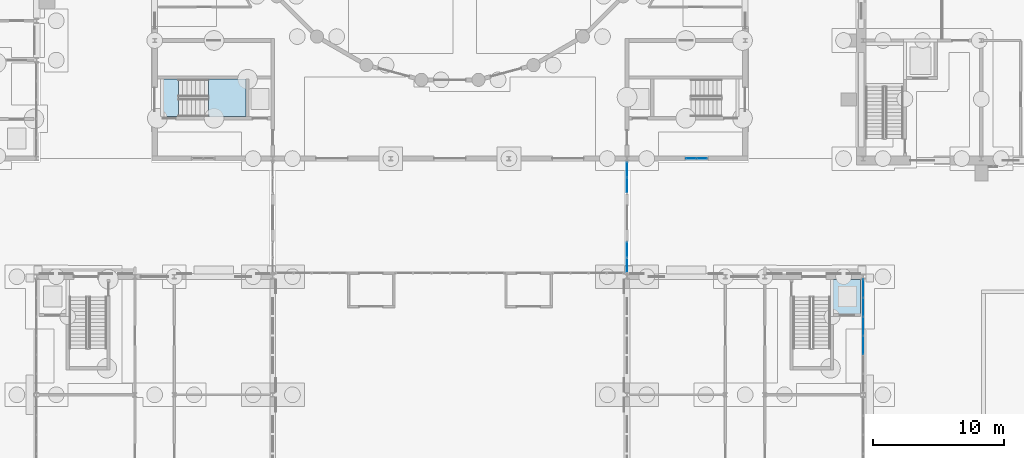
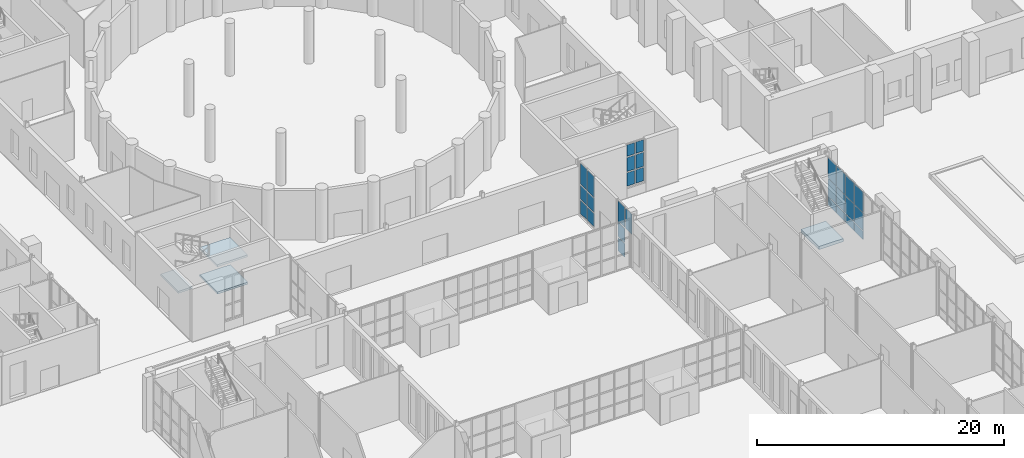
# One storey, part 79 of 168: 28 plates, 4 slabs, 5 elements without a shape of their own.
"""IFC4 building model written with IfcOpenShell, lengths in metres."""

from ifc_helpers import new_model, si_unit, direction, frame, origin, origin_2d, place, context, subcontext, project, spatial, polyline, rectangle, outline, extrude, material, layer, layer_set, type_object, element, aggregate, save


model = new_model("IFC4")

# Units and contexts
model_context = context("Model", 3, precision=1e-05, world=origin(), true_north=direction((0.0, 1.0)))
body_context = subcontext(model_context, "Body", "Model", "MODEL_VIEW")
ifc_project = project(units=[si_unit("LENGTHUNIT", "METRE"), si_unit("AREAUNIT", "SQUARE_METRE"), si_unit("VOLUMEUNIT", "CUBIC_METRE"), si_unit("PLANEANGLEUNIT", "RADIAN"), si_unit("MASSUNIT", "GRAM", prefix="KILO")], contexts=[model_context])

# Site, building, storey
site_placement = place(None, origin())
site = spatial("IfcSite", under=ifc_project, at=site_placement, CompositionType="ELEMENT")
building_placement = place(site_placement, origin())
building = spatial("IfcBuilding", under=site, at=building_placement, Name="Golden Quay Civic Hall", CompositionType="ELEMENT")
storey_placement = place(building_placement, origin())
storey = spatial("IfcBuildingStorey", under=building, at=storey_placement, Name="L00", CompositionType="ELEMENT", Elevation=0.0)

# Curtain wall, plates
ifc_material_1 = material(Name="Glass, laminated double glazed", Category="glass")
ifc_layer_1 = layer(ifc_material_1, 0.199951171875)
ifc_layer_set_1 = layer_set([ifc_layer_1], Name="Glazed core strip curtain wall")
curtain_wall_type_1 = type_object("IfcCurtainWallType", Name="Glazed core strip curtain wall", PredefinedType="NOTDEFINED", material=ifc_layer_set_1)
curtain_wall_1_placement = place(storey_placement, origin())
curtain_wall_1 = element("IfcCurtainWall", 1, at=curtain_wall_1_placement, inside=storey, type_object=curtain_wall_type_1, Name="Glazed core strip curtain wall L00 12", PredefinedType="NOTDEFINED")
ifc_material_2 = material(Name="Glass, laminated double glazed", Category="glass")
ifc_layer_2 = layer(ifc_material_2, 0.028076171875)
ifc_layer_set_2 = layer_set([ifc_layer_2], Name="Double glazed curtain wall panel 28")
plate_type_1 = type_object("IfcPlateType", Name="Double glazed curtain wall panel 28", PredefinedType="CURTAIN_PANEL", material=ifc_layer_set_2)
plate_1_placement = place(storey_placement, frame((117.0, 53.1142578125, 0.06005859375), z_axis=(0.0, 0.0, 1.0), x_axis=(0.0, -1.0, 0.0)))
plate_1 = element("IfcPlate", 2, at=plate_1_placement, type_object=plate_type_1, Name="CW2 panel 1.1", PredefinedType="CURTAIN_PANEL", context=body_context, shape_type="SweptSolid", body=[
    extrude(rectangle(XDim=1.361572265625, YDim=0.028076171875, at=origin_2d()), origin(), (0.0, 0.0, 1.0), 0.81005859375),
])
plate_2_placement = place(storey_placement, frame((117.0, 53.1142578125, 0.93017578125), z_axis=(0.0, 0.0, 1.0), x_axis=(0.0, -1.0, 0.0)))
plate_2 = element("IfcPlate", 3, at=plate_2_placement, type_object=plate_type_1, Name="CW2 panel 1.2", PredefinedType="CURTAIN_PANEL", context=body_context, shape_type="SweptSolid", body=[
    extrude(rectangle(XDim=1.361572265625, YDim=0.028076171875, at=origin_2d()), origin(), (0.0, 0.0, 1.0), 1.739990234375),
])
plate_3_placement = place(storey_placement, frame((117.0, 53.1142578125, 2.72998046875), z_axis=(0.0, 0.0, 1.0), x_axis=(0.0, -1.0, 0.0)))
plate_3 = element("IfcPlate", 4, at=plate_3_placement, type_object=plate_type_1, Name="CW2 panel 1.3", PredefinedType="CURTAIN_PANEL", context=body_context, shape_type="SweptSolid", body=[
    extrude(rectangle(XDim=1.361572265625, YDim=0.028076171875, at=origin_2d()), origin(), (0.0, 0.0, 1.0), 2.010009765625),
])
plate_4_placement = place(storey_placement, frame((117.0, 51.677490234375, 0.06005859375), z_axis=(0.0, 0.0, 1.0), x_axis=(0.0, -1.0, 0.0)))
plate_4 = element("IfcPlate", 5, at=plate_4_placement, type_object=plate_type_1, Name="CW2 panel 2.1", PredefinedType="CURTAIN_PANEL", context=body_context, shape_type="SweptSolid", body=[
    extrude(rectangle(XDim=1.3916015625, YDim=0.028076171875, at=origin_2d()), origin(), (0.0, 0.0, 1.0), 0.81005859375),
])
plate_5_placement = place(storey_placement, frame((117.0, 51.677490234375, 0.93017578125), z_axis=(0.0, 0.0, 1.0), x_axis=(0.0, -1.0, 0.0)))
plate_5 = element("IfcPlate", 6, at=plate_5_placement, type_object=plate_type_1, Name="CW2 panel 2.2", PredefinedType="CURTAIN_PANEL", context=body_context, shape_type="SweptSolid", body=[
    extrude(rectangle(XDim=1.3916015625, YDim=0.028076171875, at=origin_2d()), origin(), (0.0, 0.0, 1.0), 1.739990234375),
])
plate_6_placement = place(storey_placement, frame((117.0, 51.677490234375, 2.72998046875), z_axis=(0.0, 0.0, 1.0), x_axis=(0.0, -1.0, 0.0)))
plate_6 = element("IfcPlate", 7, at=plate_6_placement, type_object=plate_type_1, Name="CW2 panel 2.3", PredefinedType="CURTAIN_PANEL", context=body_context, shape_type="SweptSolid", body=[
    extrude(rectangle(XDim=1.3916015625, YDim=0.028076171875, at=origin_2d()), origin(), (0.0, 0.0, 1.0), 2.010009765625),
])
plate_7_placement = place(storey_placement, frame((117.0, 50.225830078125, 0.06005859375), z_axis=(0.0, 0.0, 1.0), x_axis=(0.0, -1.0, 0.0)))
plate_7 = element("IfcPlate", 8, at=plate_7_placement, type_object=plate_type_1, Name="CW2 panel 3.1", PredefinedType="CURTAIN_PANEL", context=body_context, shape_type="SweptSolid", body=[
    extrude(rectangle(XDim=1.3916015625, YDim=0.028076171875, at=origin_2d()), origin(), (0.0, 0.0, 1.0), 0.81005859375),
])
plate_8_placement = place(storey_placement, frame((117.0, 50.225830078125, 0.93017578125), z_axis=(0.0, 0.0, 1.0), x_axis=(0.0, -1.0, 0.0)))
plate_8 = element("IfcPlate", 9, at=plate_8_placement, type_object=plate_type_1, Name="CW2 panel 3.2", PredefinedType="CURTAIN_PANEL", context=body_context, shape_type="SweptSolid", body=[
    extrude(rectangle(XDim=1.3916015625, YDim=0.028076171875, at=origin_2d()), origin(), (0.0, 0.0, 1.0), 1.739990234375),
])
plate_9_placement = place(storey_placement, frame((117.0, 50.225830078125, 2.72998046875), z_axis=(0.0, 0.0, 1.0), x_axis=(0.0, -1.0, 0.0)))
plate_9 = element("IfcPlate", 10, at=plate_9_placement, type_object=plate_type_1, Name="CW2 panel 3.3", PredefinedType="CURTAIN_PANEL", context=body_context, shape_type="SweptSolid", body=[
    extrude(rectangle(XDim=1.3916015625, YDim=0.028076171875, at=origin_2d()), origin(), (0.0, 0.0, 1.0), 2.010009765625),
])
plate_10_placement = place(storey_placement, frame((117.0, 48.774169921875, 0.06005859375), z_axis=(0.0, 0.0, 1.0), x_axis=(0.0, -1.0, 0.0)))
plate_10 = element("IfcPlate", 11, at=plate_10_placement, type_object=plate_type_1, Name="CW2 panel 4.1", PredefinedType="CURTAIN_PANEL", context=body_context, shape_type="SweptSolid", body=[
    extrude(rectangle(XDim=1.3916015625, YDim=0.028076171875, at=origin_2d()), origin(), (0.0, 0.0, 1.0), 0.81005859375),
])
plate_11_placement = place(storey_placement, frame((117.0, 48.774169921875, 0.93017578125), z_axis=(0.0, 0.0, 1.0), x_axis=(0.0, -1.0, 0.0)))
plate_11 = element("IfcPlate", 12, at=plate_11_placement, type_object=plate_type_1, Name="CW2 panel 4.2", PredefinedType="CURTAIN_PANEL", context=body_context, shape_type="SweptSolid", body=[
    extrude(rectangle(XDim=1.3916015625, YDim=0.028076171875, at=origin_2d()), origin(), (0.0, 0.0, 1.0), 1.739990234375),
])
plate_12_placement = place(storey_placement, frame((117.0, 48.774169921875, 2.72998046875), z_axis=(0.0, 0.0, 1.0), x_axis=(0.0, -1.0, 0.0)))
plate_12 = element("IfcPlate", 13, at=plate_12_placement, type_object=plate_type_1, Name="CW2 panel 4.3", PredefinedType="CURTAIN_PANEL", context=body_context, shape_type="SweptSolid", body=[
    extrude(rectangle(XDim=1.3916015625, YDim=0.028076171875, at=origin_2d()), origin(), (0.0, 0.0, 1.0), 2.010009765625),
])
aggregate(curtain_wall_1, [plate_1, plate_2, plate_3, plate_4, plate_5, plate_6, plate_7, plate_8, plate_9, plate_10, plate_11, plate_12])

ifc_material_3 = material(Name="Fire-resisting glass and steel", Category="steel")
curtain_wall_type_2 = type_object("IfcCurtainWallType", Name="Fire-resisting glazed stair curtain wall EI 120", PredefinedType="NOTDEFINED", material=ifc_material_3)
curtain_wall_2_placement = place(storey_placement, origin())
curtain_wall_2 = element("IfcCurtainWall", 14, at=curtain_wall_2_placement, inside=storey, type_object=curtain_wall_type_2, Name="CW4 stair curtain wall", PredefinedType="NOTDEFINED")
ifc_material_4 = material(Name="Fire-resisting laminated glass", Category="glass")
ifc_layer_3 = layer(ifc_material_4, 0.0400390625)
ifc_layer_set_3 = layer_set([ifc_layer_3], Name="Fire-resisting glazed stair panel 40")
plate_type_2 = type_object("IfcPlateType", Name="Fire-resisting glazed stair panel 40", PredefinedType="CURTAIN_PANEL", material=ifc_layer_set_3)
plate_13_placement = place(storey_placement, frame((103.8798828125, 63.0, 1.02001953125), z_axis=(0.0, 0.0, 1.0), x_axis=(1.0, 0.0, 0.0)))
plate_13 = element("IfcPlate", 15, at=plate_13_placement, type_object=plate_type_2, Name="CW4 panel 1.1", PredefinedType="CURTAIN_PANEL", context=body_context, shape_type="SweptSolid", body=[
    extrude(rectangle(XDim=0.719970703125, YDim=0.0400390625, at=origin_2d()), origin(), (0.0, 0.0, 1.0), 1.320068359375),
])
plate_14_placement = place(storey_placement, frame((103.8798828125, 63.0, 2.4599609375), z_axis=(0.0, 0.0, 1.0), x_axis=(1.0, 0.0, 0.0)))
plate_14 = element("IfcPlate", 16, at=plate_14_placement, type_object=plate_type_2, Name="CW4 panel 1.2", PredefinedType="CURTAIN_PANEL", context=body_context, shape_type="SweptSolid", body=[
    extrude(rectangle(XDim=0.719970703125, YDim=0.0400390625, at=origin_2d()), origin(), (0.0, 0.0, 1.0), 1.3798828125),
])
plate_15_placement = place(storey_placement, frame((103.8798828125, 63.0, 3.9599609375), z_axis=(0.0, 0.0, 1.0), x_axis=(1.0, 0.0, 0.0)))
plate_15 = element("IfcPlate", 17, at=plate_15_placement, type_object=plate_type_2, Name="CW4 panel 1.3", PredefinedType="CURTAIN_PANEL", context=body_context, shape_type="SweptSolid", body=[
    extrude(rectangle(XDim=0.719970703125, YDim=0.0400390625, at=origin_2d()), origin(), (0.0, 0.0, 1.0), 1.1201171875),
])
plate_16_placement = place(storey_placement, frame((104.719970703125, 63.0, 1.02001953125), z_axis=(0.0, 0.0, 1.0), x_axis=(1.0, 0.0, 0.0)))
plate_16 = element("IfcPlate", 18, at=plate_16_placement, type_object=plate_type_2, Name="CW4 panel 2.1", PredefinedType="CURTAIN_PANEL", context=body_context, shape_type="SweptSolid", body=[
    extrude(rectangle(XDim=0.719970703125, YDim=0.0400390625, at=origin_2d()), origin(), (0.0, 0.0, 1.0), 1.320068359375),
])
plate_17_placement = place(storey_placement, frame((104.719970703125, 63.0, 2.4599609375), z_axis=(0.0, 0.0, 1.0), x_axis=(1.0, 0.0, 0.0)))
plate_17 = element("IfcPlate", 19, at=plate_17_placement, type_object=plate_type_2, Name="CW4 panel 2.2", PredefinedType="CURTAIN_PANEL", context=body_context, shape_type="SweptSolid", body=[
    extrude(rectangle(XDim=0.719970703125, YDim=0.0400390625, at=origin_2d()), origin(), (0.0, 0.0, 1.0), 1.3798828125),
])
plate_18_placement = place(storey_placement, frame((104.719970703125, 63.0, 3.9599609375), z_axis=(0.0, 0.0, 1.0), x_axis=(1.0, 0.0, 0.0)))
plate_18 = element("IfcPlate", 20, at=plate_18_placement, type_object=plate_type_2, Name="CW4 panel 2.3", PredefinedType="CURTAIN_PANEL", context=body_context, shape_type="SweptSolid", body=[
    extrude(rectangle(XDim=0.719970703125, YDim=0.0400390625, at=origin_2d()), origin(), (0.0, 0.0, 1.0), 1.1201171875),
])
aggregate(curtain_wall_2, [plate_13, plate_14, plate_15, plate_16, plate_17, plate_18])

ifc_material_5 = material(Name="Glass and aluminium", Category="aluminium")
curtain_wall_type_3 = type_object("IfcCurtainWallType", Name="Glazed curtain wall 1500 module", PredefinedType="NOTDEFINED", material=ifc_material_5)
curtain_wall_3_placement = place(storey_placement, origin())
curtain_wall_3 = element("IfcCurtainWall", 21, at=curtain_wall_3_placement, inside=storey, type_object=curtain_wall_type_3, Name="CW1 curtain wall", PredefinedType="NOTDEFINED")
ifc_material_6 = material(Name="Laminated glass", Category="glass")
ifc_layer_4 = layer(ifc_material_6, 0.028076171875)
ifc_layer_set_4 = layer_set([ifc_layer_4], Name="Laminated glass panel 28")
plate_type_3 = type_object("IfcPlateType", Name="Laminated glass panel 28", PredefinedType="CURTAIN_PANEL", material=ifc_layer_set_4)
plate_19_placement = place(storey_placement, frame((99.0, 54.85498046875, 3.06005859375), z_axis=(0.0, 0.0, 1.0), x_axis=(0.0, 1.0, 0.0)))
plate_19 = element("IfcPlate", 22, at=plate_19_placement, type_object=plate_type_3, Name="CW1 panel 1.3", PredefinedType="CURTAIN_PANEL", context=body_context, shape_type="SweptSolid", body=[
    extrude(rectangle(XDim=1.070068359375, YDim=0.028076171875, at=origin_2d()), origin(), (0.0, 0.0, 1.0), 2.02001953125),
])
plate_20_placement = place(storey_placement, frame((99.0, 56.044921875, 0.1201171875), z_axis=(0.0, 0.0, 1.0), x_axis=(0.0, 1.0, 0.0)))
plate_20 = element("IfcPlate", 23, at=plate_20_placement, type_object=plate_type_3, Name="CW1 panel 2.1", PredefinedType="CURTAIN_PANEL", context=body_context, shape_type="SweptSolid", body=[
    extrude(rectangle(XDim=1.070068359375, YDim=0.028076171875, at=origin_2d()), origin(), (0.0, 0.0, 1.0), 1.320068359375),
])
plate_21_placement = place(storey_placement, frame((99.0, 56.044921875, 1.56005859375), z_axis=(0.0, 0.0, 1.0), x_axis=(0.0, 1.0, 0.0)))
plate_21 = element("IfcPlate", 24, at=plate_21_placement, type_object=plate_type_3, Name="CW1 panel 2.2", PredefinedType="CURTAIN_PANEL", context=body_context, shape_type="SweptSolid", body=[
    extrude(rectangle(XDim=1.070068359375, YDim=0.028076171875, at=origin_2d()), origin(), (0.0, 0.0, 1.0), 1.3798828125),
])
plate_22_placement = place(storey_placement, frame((99.0, 56.044921875, 3.06005859375), z_axis=(0.0, 0.0, 1.0), x_axis=(0.0, 1.0, 0.0)))
plate_22 = element("IfcPlate", 25, at=plate_22_placement, type_object=plate_type_3, Name="CW1 panel 2.3", PredefinedType="CURTAIN_PANEL", context=body_context, shape_type="SweptSolid", body=[
    extrude(rectangle(XDim=1.070068359375, YDim=0.028076171875, at=origin_2d()), origin(), (0.0, 0.0, 1.0), 2.02001953125),
])
aggregate(curtain_wall_3, [plate_19, plate_20, plate_21, plate_22])

curtain_wall_4_placement = place(storey_placement, origin())
curtain_wall_4 = element("IfcCurtainWall", 26, at=curtain_wall_4_placement, inside=storey, type_object=curtain_wall_type_3, Name="CW1 curtain wall", PredefinedType="NOTDEFINED")
plate_23_placement = place(storey_placement, frame((99.0, 60.955078125, 0.1201171875), z_axis=(0.0, 0.0, 1.0), x_axis=(0.0, 1.0, 0.0)))
plate_23 = element("IfcPlate", 27, at=plate_23_placement, type_object=plate_type_3, Name="CW1 panel 1.1", PredefinedType="CURTAIN_PANEL", context=body_context, shape_type="SweptSolid", body=[
    extrude(rectangle(XDim=1.070068359375, YDim=0.028076171875, at=origin_2d()), origin(), (0.0, 0.0, 1.0), 1.320068359375),
])
plate_24_placement = place(storey_placement, frame((99.0, 60.955078125, 1.56005859375), z_axis=(0.0, 0.0, 1.0), x_axis=(0.0, 1.0, 0.0)))
plate_24 = element("IfcPlate", 28, at=plate_24_placement, type_object=plate_type_3, Name="CW1 panel 1.2", PredefinedType="CURTAIN_PANEL", context=body_context, shape_type="SweptSolid", body=[
    extrude(rectangle(XDim=1.070068359375, YDim=0.028076171875, at=origin_2d()), origin(), (0.0, 0.0, 1.0), 1.3798828125),
])
plate_25_placement = place(storey_placement, frame((99.0, 60.955078125, 3.06005859375), z_axis=(0.0, 0.0, 1.0), x_axis=(0.0, 1.0, 0.0)))
plate_25 = element("IfcPlate", 29, at=plate_25_placement, type_object=plate_type_3, Name="CW1 panel 1.3", PredefinedType="CURTAIN_PANEL", context=body_context, shape_type="SweptSolid", body=[
    extrude(rectangle(XDim=1.070068359375, YDim=0.028076171875, at=origin_2d()), origin(), (0.0, 0.0, 1.0), 2.02001953125),
])
plate_26_placement = place(storey_placement, frame((99.0, 62.14501953125, 0.1201171875), z_axis=(0.0, 0.0, 1.0), x_axis=(0.0, 1.0, 0.0)))
plate_26 = element("IfcPlate", 30, at=plate_26_placement, type_object=plate_type_3, Name="CW1 panel 2.1", PredefinedType="CURTAIN_PANEL", context=body_context, shape_type="SweptSolid", body=[
    extrude(rectangle(XDim=1.070068359375, YDim=0.028076171875, at=origin_2d()), origin(), (0.0, 0.0, 1.0), 1.320068359375),
])
plate_27_placement = place(storey_placement, frame((99.0, 62.14501953125, 1.56005859375), z_axis=(0.0, 0.0, 1.0), x_axis=(0.0, 1.0, 0.0)))
plate_27 = element("IfcPlate", 31, at=plate_27_placement, type_object=plate_type_3, Name="CW1 panel 2.2", PredefinedType="CURTAIN_PANEL", context=body_context, shape_type="SweptSolid", body=[
    extrude(rectangle(XDim=1.070068359375, YDim=0.028076171875, at=origin_2d()), origin(), (0.0, 0.0, 1.0), 1.3798828125),
])
plate_28_placement = place(storey_placement, frame((99.0, 62.14501953125, 3.06005859375), z_axis=(0.0, 0.0, 1.0), x_axis=(0.0, 1.0, 0.0)))
plate_28 = element("IfcPlate", 32, at=plate_28_placement, type_object=plate_type_3, Name="CW1 panel 2.3", PredefinedType="CURTAIN_PANEL", context=body_context, shape_type="SweptSolid", body=[
    extrude(rectangle(XDim=1.070068359375, YDim=0.028076171875, at=origin_2d()), origin(), (0.0, 0.0, 1.0), 2.02001953125),
])
aggregate(curtain_wall_4, [plate_23, plate_24, plate_25, plate_26, plate_27, plate_28])

# Slab
ifc_material_7 = material(Name="Concrete C40/50", Category="concrete")
ifc_layer_5 = layer(ifc_material_7, 0.300048828125)
ifc_layer_set_5 = layer_set([ifc_layer_5], Name="Lift pit slab 300")
slab_type_1 = type_object("IfcSlabType", Name="Lift pit slab 300", PredefinedType="BASESLAB", material=ifc_layer_set_5)
slab_1_placement = place(storey_placement, frame((0.0, 0.0, -1.800048828125)))
element("IfcSlab", 33, at=slab_1_placement, inside=storey, type_object=slab_type_1, Name="Lift pit slab EM-N", PredefinedType="BASESLAB", context=body_context, shape_type="SweptSolid", body=[
    extrude(outline(polyline([(116.800048828125, 50.949951171875), (114.75, 50.949951171875), (114.5, 50.949951171875), (114.5, 53.800048828125), (114.75, 53.800048828125), (116.800048828125, 53.800048828125), (116.800048828125, 51.199951171875), (116.800048828125, 50.949951171875)])), origin(), (0.0, 0.0, 1.0), 0.300048828125),
])

# Stair, slabs
ifc_material_8 = material(Name="Concrete C35/45", Category="concrete")
stair_type = type_object("IfcStairType", Name="Reinforced concrete stair 1350", PredefinedType="HALF_TURN_STAIR", material=ifc_material_8)
stair_placement = place(storey_placement, origin())
stair = element("IfcStair", 34, at=stair_placement, inside=storey, type_object=stair_type, Name="L00 Core stair SW", PredefinedType="HALF_TURN_STAIR")
ifc_material_9 = material(Name="Concrete C35/45", Category="concrete")
ifc_layer_6 = layer(ifc_material_9, 0.199951171875)
ifc_layer_set_6 = layer_set([ifc_layer_6], Name="Reinforced concrete stair landing 200, Concrete C35/45")
slab_type_2 = type_object("IfcSlabType", Name="Reinforced concrete stair landing 200", PredefinedType="LANDING", material=ifc_layer_set_6)
slab_2_placement = place(storey_placement, frame((0.0, 0.0, 1.14990234375)))
slab_2 = element("IfcSlab", 35, at=slab_2_placement, type_object=slab_type_2, Name="CB-SW landing 1", PredefinedType="LANDING", context=body_context, shape_type="SweptSolid", body=[
    extrude(outline(polyline([(67.110107421875, 66.199951171875), (69.949951171875, 66.199951171875), (69.949951171875, 69.050048828125), (67.110107421875, 69.050048828125), (67.110107421875, 66.199951171875)])), origin(), (0.0, 0.0, 1.0), 0.2001953125),
])
slab_3_placement = place(storey_placement, frame((0.0, 0.0, 2.5)))
slab_3 = element("IfcSlab", 36, at=slab_3_placement, type_object=slab_type_2, Name="CB-SW landing 2", PredefinedType="LANDING", context=body_context, shape_type="SweptSolid", body=[
    extrude(outline(polyline([(63.449951171875, 66.199951171875), (64.800048828125, 66.199951171875), (64.800048828125, 69.050048828125), (63.449951171875, 69.050048828125), (63.449951171875, 66.199951171875)])), origin(), (0.0, 0.0, 1.0), 0.199951171875),
])
slab_4_placement = place(storey_placement, frame((0.0, 0.0, 3.85009765625)))
slab_4 = element("IfcSlab", 37, at=slab_4_placement, type_object=slab_type_2, Name="CB-SW landing 3", PredefinedType="LANDING", context=body_context, shape_type="SweptSolid", body=[
    extrude(outline(polyline([(67.110107421875, 66.199951171875), (69.949951171875, 66.199951171875), (69.949951171875, 69.050048828125), (67.110107421875, 69.050048828125), (67.110107421875, 66.199951171875)])), origin(), (0.0, 0.0, 1.0), 0.199951171875),
])
aggregate(stair, [slab_2, slab_3, slab_4])

save(model, "model.ifc")
